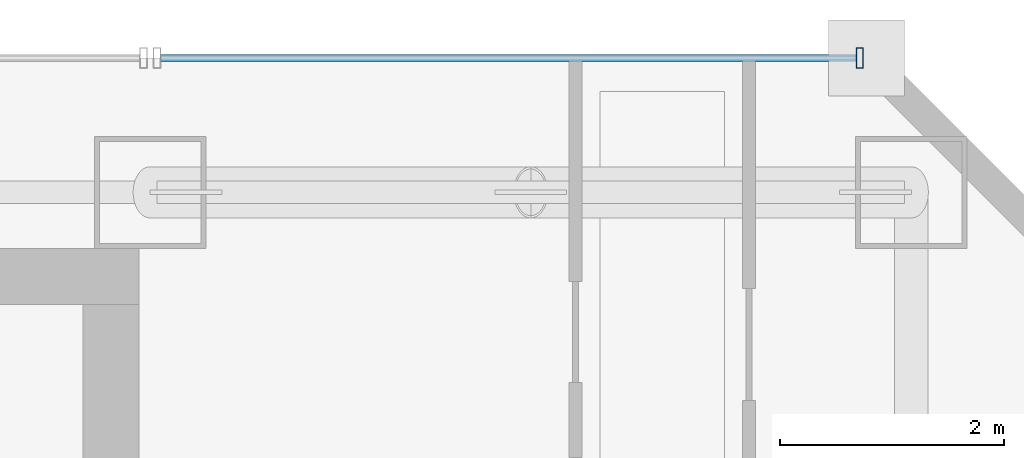
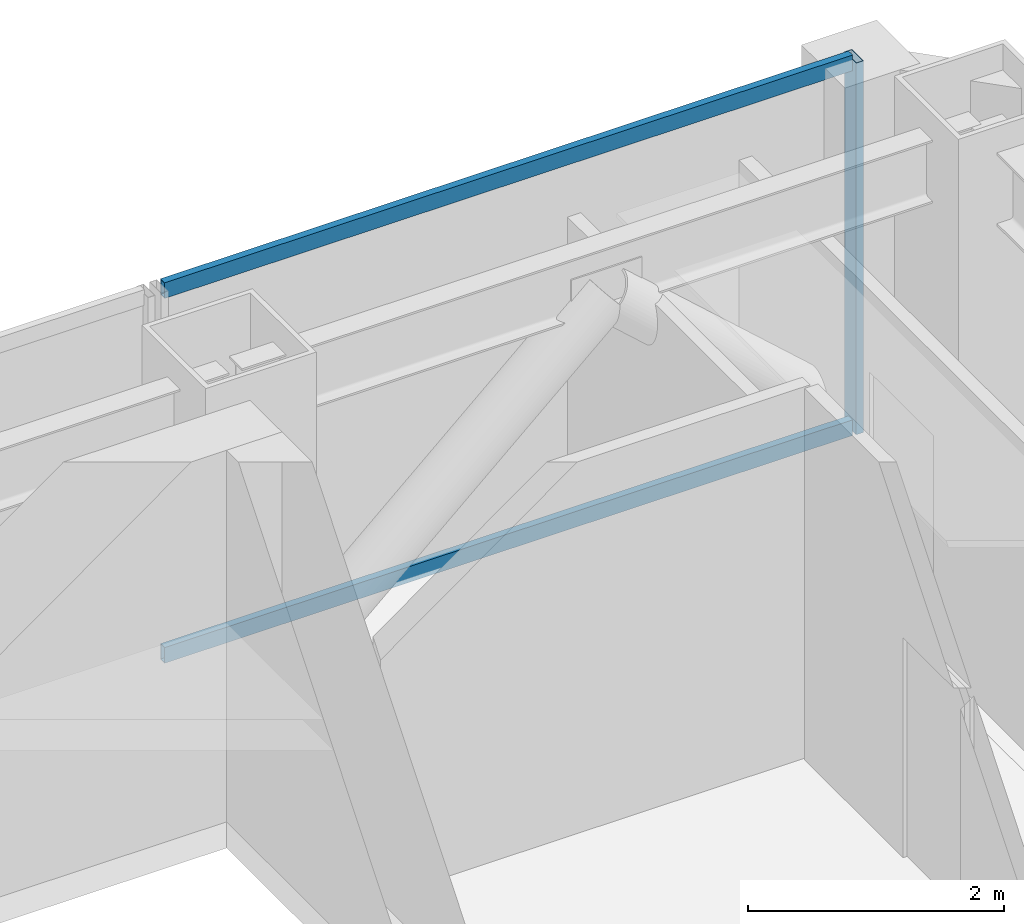
# One storey, part 21 of 31: 3 members, 1 element without a shape of its own.
"""IFC4 building model written with IfcOpenShell, lengths in metres."""

from ifc_helpers import new_model, si_unit, direction, frame, origin, origin_2d, place, context, subcontext, project, spatial, hollow_rectangle, extrude, material, material_profile, profile_set, type_object, element, aggregate, save


model = new_model("IFC4")

# Units and contexts
model_context = context("Model", 3, precision=1e-05, world=origin(), true_north=direction((0.0, 1.0)))
body_context = subcontext(model_context, "Body", "Model", "MODEL_VIEW")
ifc_project = project(units=[si_unit("LENGTHUNIT", "METRE"), si_unit("AREAUNIT", "SQUARE_METRE"), si_unit("VOLUMEUNIT", "CUBIC_METRE"), si_unit("PLANEANGLEUNIT", "RADIAN"), si_unit("MASSUNIT", "GRAM", prefix="KILO")], contexts=[model_context])

# Site, building, storey
site_placement = place(None, origin())
site = spatial("IfcSite", under=ifc_project, at=site_placement, CompositionType="ELEMENT")
building_placement = place(site_placement, origin())
building = spatial("IfcBuilding", under=site, at=building_placement, Name="Saevonmaru Cultural Tower", CompositionType="ELEMENT")
storey_placement = place(building_placement, frame((0.0, 0.0, 167.60009765625)))
storey = spatial("IfcBuildingStorey", under=building, at=storey_placement, Name="L37", CompositionType="ELEMENT", Elevation=167.60009765625)

# Curtain wall, members
ifc_material = material(Name="Satin Bronze Anodised Aluminium", Category="aluminium")
curtain_wall_type = type_object("IfcCurtainWallType", Name="CW-TYP-A", PredefinedType="NOTDEFINED", material=ifc_material)
curtain_wall_placement = place(storey_placement, origin())
curtain_wall = element("IfcCurtainWall", 1, at=curtain_wall_placement, inside=storey, type_object=curtain_wall_type, Name="L37 East Braced Bay Spandrel Curtain Wall E10A", PredefinedType="NOTDEFINED")
ifc_material_profile_1 = material_profile(ifc_material, hollow_rectangle(XDim=0.06494140625, YDim=0.179931640625, WallThickness=0.00390625, at=origin_2d()), Name="ALU-MULL-180x65x4")
ifc_profile_set_1 = profile_set([ifc_material_profile_1], Name="Satin Bronze Anodised Aluminium")
member_type_1 = type_object("IfcMemberType", Name="ML-CW-180x65", PredefinedType="MULLION", material=ifc_profile_set_1)
member_1_placement = place(storey_placement, frame((52.739990234375, 56.0, 0.0), z_axis=(0.0, 0.0, 1.0), x_axis=(-1.0, 0.0, 0.0)))
member_1 = element("IfcMember", 2, at=member_1_placement, type_object=member_type_1, Name="CW-TW-L37-E10A mullion 1", PredefinedType="MULLION", context=body_context, shape_type="SweptSolid", body=[
    extrude(hollow_rectangle(XDim=0.06494140625, YDim=0.179931640625, WallThickness=0.00390625, at=origin_2d()), origin(), (0.0, 0.0, 1.0), 3.5498046875),
])
ifc_material_profile_2 = material_profile(ifc_material, hollow_rectangle(XDim=0.06494140625, YDim=0.14990234375, WallThickness=0.00390625, at=origin_2d()), Name="ALU-TRAN-150x65x4")
ifc_profile_set_2 = profile_set([ifc_material_profile_2], Name="Satin Bronze Anodised Aluminium")
member_type_2 = type_object("IfcMemberType", Name="TR-CW-150x65", PredefinedType="USERDEFINED", material=ifc_profile_set_2)
member_2_placement = place(storey_placement, frame((52.70751953125, 56.0, 0.032470703125), z_axis=(-1.0, 0.0, 0.0), x_axis=(0.0, -1.0, 0.0)))
member_2 = element("IfcMember", 3, at=member_2_placement, type_object=member_type_2, Name="CW-TW-L37-E10A transom 1.1", ObjectType="TRANSOM", PredefinedType="USERDEFINED", context=body_context, shape_type="SweptSolid", body=[
    extrude(hollow_rectangle(XDim=0.06494140625, YDim=0.14990234375, WallThickness=0.00390625, at=origin_2d()), origin(), (0.0, 0.0, 1.0), 6.215087890625),
])
member_3_placement = place(storey_placement, frame((52.70751953125, 56.0, 3.517333984375), z_axis=(-1.0, 0.0, 0.0), x_axis=(0.0, -1.0, 0.0)))
member_3 = element("IfcMember", 4, at=member_3_placement, type_object=member_type_2, Name="CW-TW-L37-E10A transom 1.2", ObjectType="TRANSOM", PredefinedType="USERDEFINED", context=body_context, shape_type="SweptSolid", body=[
    extrude(hollow_rectangle(XDim=0.06494140625, YDim=0.14990234375, WallThickness=0.00390625, at=origin_2d()), origin(), (0.0, 0.0, 1.0), 6.215087890625),
])
aggregate(curtain_wall, [member_1, member_2, member_3])

save(model, "model.ifc")
